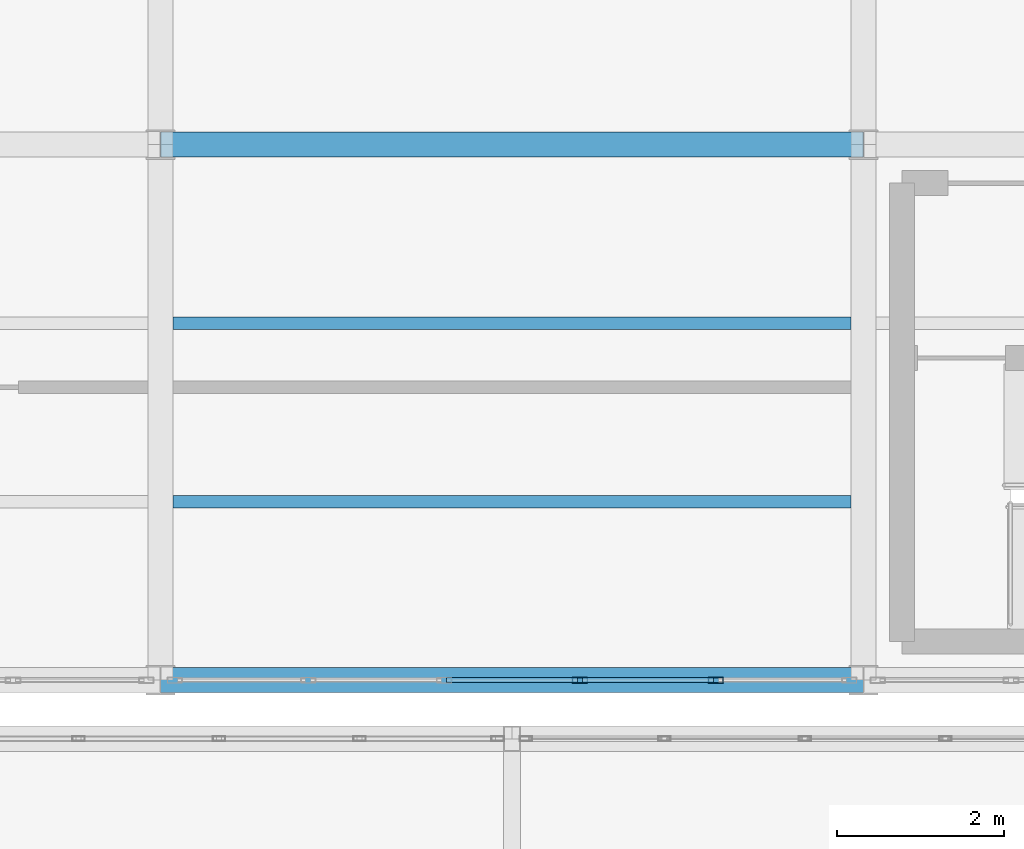
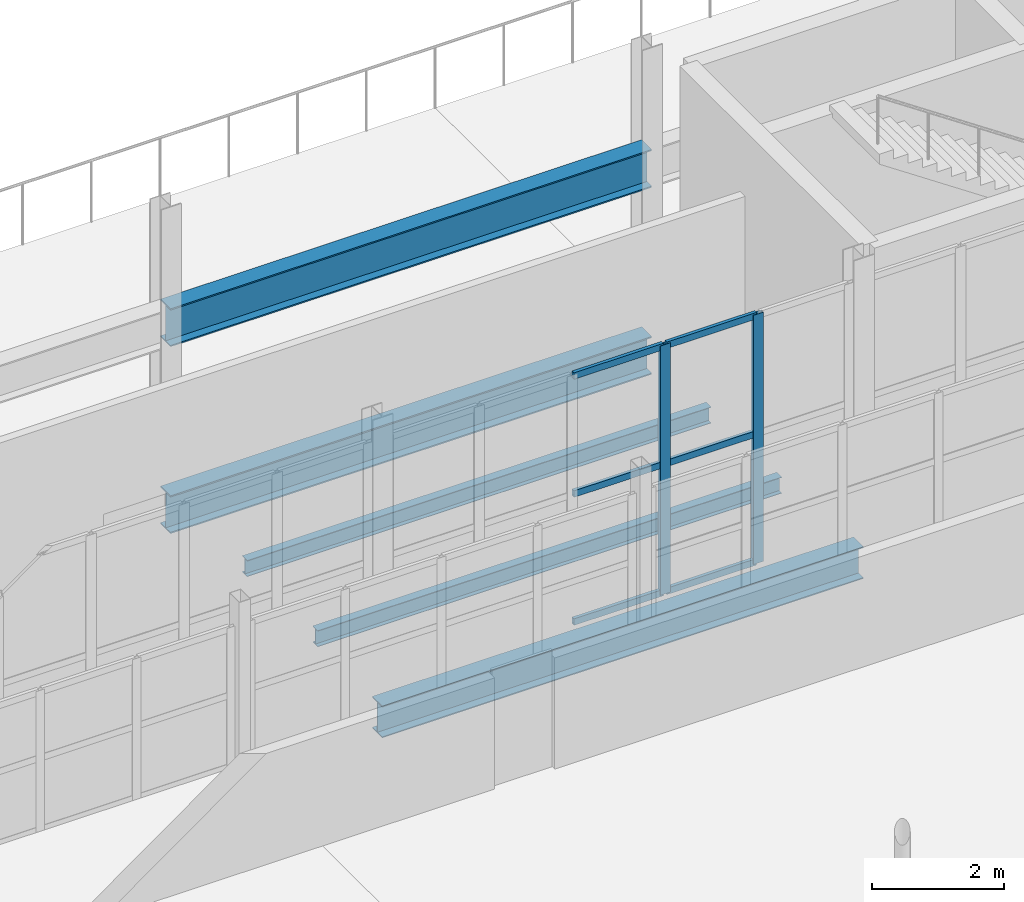
# One storey, part 76 of 218: 8 members, 5 beams, 1 element without a shape of its own.
"""IFC4 building model written with IfcOpenShell, lengths in metres."""

from ifc_helpers import new_model, si_unit, direction, frame, origin, origin_2d, place, context, subcontext, project, spatial, hollow_rectangle, i_section, extrude, material, material_profile, profile_set, type_object, element, aggregate, save


model = new_model("IFC4")

# Units and contexts
model_context = context("Model", 3, precision=1e-05, world=origin(), true_north=direction((0.0, 1.0)))
body_context = subcontext(model_context, "Body", "Model", "MODEL_VIEW")
ifc_project = project(units=[si_unit("LENGTHUNIT", "METRE"), si_unit("AREAUNIT", "SQUARE_METRE"), si_unit("VOLUMEUNIT", "CUBIC_METRE"), si_unit("PLANEANGLEUNIT", "RADIAN"), si_unit("MASSUNIT", "GRAM", prefix="KILO")], contexts=[model_context])

# Site, building, storey
site_placement = place(None, origin())
site = spatial("IfcSite", under=ifc_project, at=site_placement, CompositionType="ELEMENT")
building_placement = place(site_placement, origin())
building = spatial("IfcBuilding", under=site, at=building_placement, Name="Kazenagashi Tramway Depot", CompositionType="ELEMENT")
storey_placement = place(building_placement, frame((0.0, 0.0, 6.0)))
storey = spatial("IfcBuildingStorey", under=building, at=storey_placement, Name="L02", CompositionType="ELEMENT", Elevation=6.0)

# Beams
ifc_material_1 = material(Name="Steel SN490B", Category="steel")
ifc_material_profile_1 = material_profile(ifc_material_1, i_section(OverallWidth=0.3, OverallDepth=0.7, WebThickness=0.013, FlangeThickness=0.024, at=origin_2d()), Name="H-700x300x13x24")
ifc_profile_set_1 = profile_set([ifc_material_profile_1], Name="Steel SN490B")
beam_type_1 = type_object("IfcBeamType", Name="G-02", PredefinedType="BEAM", material=ifc_profile_set_1)
for number, where, z_axis, x_axis, name in (
    (1, (120.4, 22.9, -0.6), (1.0, 0.0, 0.0), (0.0, 1.0, 0.0), "Beam G-02 BM-1015"),
    (2, (120.4, 22.9, 2.85), (1.0, 0.0, 0.0), (0.0, 1.0, 0.0), "Beam G-02 BM-1158"),
):
    element("IfcBeam", number, at=place(storey_placement, frame(where, z_axis=z_axis, x_axis=x_axis)), inside=storey, type_object=beam_type_1, Name=name, PredefinedType="BEAM", context=body_context, shape_type="SweptSolid", body=[
        extrude(i_section(OverallWidth=0.3, OverallDepth=0.7, WebThickness=0.013, FlangeThickness=0.024, at=origin_2d()), origin(), (0.0, 0.0, 1.0), 8.4),
    ])
ifc_material_2 = material(Name="Steel SN400B", Category="steel")
ifc_material_profile_2 = material_profile(ifc_material_2, i_section(OverallWidth=0.15, OverallDepth=0.3, WebThickness=0.0065, FlangeThickness=0.009, at=origin_2d()), Name="H-300x150x6.5x9")
ifc_profile_set_2 = profile_set([ifc_material_profile_2], Name="Steel SN400B")
beam_type_2 = type_object("IfcBeamType", Name="J-02", PredefinedType="JOIST", material=ifc_profile_set_2)
for number, where, z_axis, x_axis, name in (
    (3, (120.55, 18.633, -0.4), (1.0, 0.0, 0.0), (0.0, 1.0, 0.0), "Beam J-02 BM-1084"),
    (4, (120.55, 20.767, -0.4), (1.0, 0.0, 0.0), (0.0, 1.0, 0.0), "Beam J-02 BM-1085"),
):
    element("IfcBeam", number, at=place(storey_placement, frame(where, z_axis=z_axis, x_axis=x_axis)), inside=storey, type_object=beam_type_2, Name=name, PredefinedType="JOIST", context=body_context, shape_type="SweptSolid", body=[
        extrude(i_section(OverallWidth=0.15, OverallDepth=0.3, WebThickness=0.0065, FlangeThickness=0.009, at=origin_2d()), origin(), (0.0, 0.0, 1.0), 8.1),
    ])

# Curtain wall, members
ifc_material_3 = material(Name="Anodised Aluminium and Low-E Glazing", Category="aluminium")
curtain_wall_type = type_object("IfcCurtainWallType", Name="CW-20", PredefinedType="USERDEFINED", material=ifc_material_3)
curtain_wall_placement = place(storey_placement, origin())
curtain_wall = element("IfcCurtainWall", 5, at=curtain_wall_placement, inside=storey, type_object=curtain_wall_type, Name="Industrial Glazed Screen CW-20 CW-0104", ObjectType="GLAZED SCREEN", PredefinedType="USERDEFINED")
ifc_material_4 = material(Name="Anodised Aluminium", Category="aluminium")
ifc_material_profile_3 = material_profile(ifc_material_4, hollow_rectangle(XDim=0.07, YDim=0.18, WallThickness=0.005, at=origin_2d()), Name="RHS-180x70x5")
ifc_profile_set_3 = profile_set([ifc_material_profile_3], Name="Anodised Aluminium")
member_type_1 = type_object("IfcMemberType", Name="ML-02", PredefinedType="MULLION", material=ifc_profile_set_3)
member_1_placement = place(storey_placement, frame((125.412, 16.5, 0.0), z_axis=(0.0, 0.0, 1.0), x_axis=(0.0, 1.0, 0.0)))
member_1 = element("IfcMember", 6, at=member_1_placement, type_object=member_type_1, Name="CW-20 mullion 4", PredefinedType="MULLION", context=body_context, shape_type="SweptSolid", body=[
    extrude(hollow_rectangle(XDim=0.07, YDim=0.18, WallThickness=0.005, at=origin_2d()), origin(), (0.0, 0.0, 1.0), 4.6),
])
member_2_placement = place(storey_placement, frame((127.036, 16.5, 0.0), z_axis=(0.0, 0.0, 1.0), x_axis=(0.0, 1.0, 0.0)))
member_2 = element("IfcMember", 7, at=member_2_placement, type_object=member_type_1, Name="CW-20 mullion 5", PredefinedType="MULLION", context=body_context, shape_type="SweptSolid", body=[
    extrude(hollow_rectangle(XDim=0.07, YDim=0.18, WallThickness=0.005, at=origin_2d()), origin(), (0.0, 0.0, 1.0), 4.6),
])

# Beam
ifc_material_profile_4 = material_profile(ifc_material_1, i_section(OverallWidth=0.3, OverallDepth=0.588, WebThickness=0.012, FlangeThickness=0.02, at=origin_2d()), Name="H-588x300x12x20")
ifc_profile_set_4 = profile_set([ifc_material_profile_4], Name="Steel SN490B")
beam_type_3 = type_object("IfcBeamType", Name="SP-01", PredefinedType="SPANDREL", material=ifc_profile_set_4)
beam_placement = place(storey_placement, frame((120.4, 16.5, -0.544), z_axis=(1.0, 0.0, 0.0), x_axis=(0.0, 1.0, 0.0)))
element("IfcBeam", 8, at=beam_placement, inside=storey, type_object=beam_type_3, Name="Beam SP-01 BM-1003", PredefinedType="SPANDREL", context=body_context, shape_type="SweptSolid", body=[
    extrude(i_section(OverallWidth=0.3, OverallDepth=0.588, WebThickness=0.012, FlangeThickness=0.02, at=origin_2d()), origin(), (0.0, 0.0, 1.0), 8.4),
])

# Member
ifc_material_profile_5 = material_profile(ifc_material_4, hollow_rectangle(XDim=0.06, YDim=0.12, WallThickness=0.004, at=origin_2d()), Name="RHS-120x60x4")
ifc_profile_set_5 = profile_set([ifc_material_profile_5], Name="Anodised Aluminium")
member_type_2 = type_object("IfcMemberType", Name="TR-01", PredefinedType="USERDEFINED", material=ifc_profile_set_5)
member_3_placement = place(storey_placement, frame((123.818, 16.5, 0.03), z_axis=(1.0, 0.0, 0.0), x_axis=(0.0, 1.0, 0.0)))
member_3 = element("IfcMember", 9, at=member_3_placement, type_object=member_type_2, Name="CW-20 transom 3.1", ObjectType="TRANSOM", PredefinedType="USERDEFINED", context=body_context, shape_type="SweptSolid", body=[
    extrude(hollow_rectangle(XDim=0.06, YDim=0.12, WallThickness=0.004, at=origin_2d()), origin(), (0.0, 0.0, 1.0), 1.564),
])

member_4_placement = place(storey_placement, frame((123.818, 16.5, 2.392), z_axis=(1.0, 0.0, 0.0), x_axis=(0.0, 1.0, 0.0)))
member_4 = element("IfcMember", 10, at=member_4_placement, type_object=member_type_2, Name="CW-20 transom 3.2", ObjectType="TRANSOM", PredefinedType="USERDEFINED", context=body_context, shape_type="SweptSolid", body=[
    extrude(hollow_rectangle(XDim=0.06, YDim=0.12, WallThickness=0.004, at=origin_2d()), origin(), (0.0, 0.0, 1.0), 1.564),
])

member_5_placement = place(storey_placement, frame((123.818, 16.5, 4.57), z_axis=(1.0, 0.0, 0.0), x_axis=(0.0, 1.0, 0.0)))
member_5 = element("IfcMember", 11, at=member_5_placement, type_object=member_type_2, Name="CW-20 transom 3.3", ObjectType="TRANSOM", PredefinedType="USERDEFINED", context=body_context, shape_type="SweptSolid", body=[
    extrude(hollow_rectangle(XDim=0.06, YDim=0.12, WallThickness=0.004, at=origin_2d()), origin(), (0.0, 0.0, 1.0), 1.564),
])

member_6_placement = place(storey_placement, frame((125.442, 16.5, 0.03), z_axis=(1.0, 0.0, 0.0), x_axis=(0.0, 1.0, 0.0)))
member_6 = element("IfcMember", 12, at=member_6_placement, type_object=member_type_2, Name="CW-20 transom 4.1", ObjectType="TRANSOM", PredefinedType="USERDEFINED", context=body_context, shape_type="SweptSolid", body=[
    extrude(hollow_rectangle(XDim=0.06, YDim=0.12, WallThickness=0.004, at=origin_2d()), origin(), (0.0, 0.0, 1.0), 1.564),
])

member_7_placement = place(storey_placement, frame((125.442, 16.5, 2.392), z_axis=(1.0, 0.0, 0.0), x_axis=(0.0, 1.0, 0.0)))
member_7 = element("IfcMember", 13, at=member_7_placement, type_object=member_type_2, Name="CW-20 transom 4.2", ObjectType="TRANSOM", PredefinedType="USERDEFINED", context=body_context, shape_type="SweptSolid", body=[
    extrude(hollow_rectangle(XDim=0.06, YDim=0.12, WallThickness=0.004, at=origin_2d()), origin(), (0.0, 0.0, 1.0), 1.564),
])

member_8_placement = place(storey_placement, frame((125.442, 16.5, 4.57), z_axis=(1.0, 0.0, 0.0), x_axis=(0.0, 1.0, 0.0)))
member_8 = element("IfcMember", 14, at=member_8_placement, type_object=member_type_2, Name="CW-20 transom 4.3", ObjectType="TRANSOM", PredefinedType="USERDEFINED", context=body_context, shape_type="SweptSolid", body=[
    extrude(hollow_rectangle(XDim=0.06, YDim=0.12, WallThickness=0.004, at=origin_2d()), origin(), (0.0, 0.0, 1.0), 1.564),
])

aggregate(curtain_wall, [member_1, member_2, member_3, member_4, member_5, member_6, member_7, member_8])

save(model, "model.ifc")
